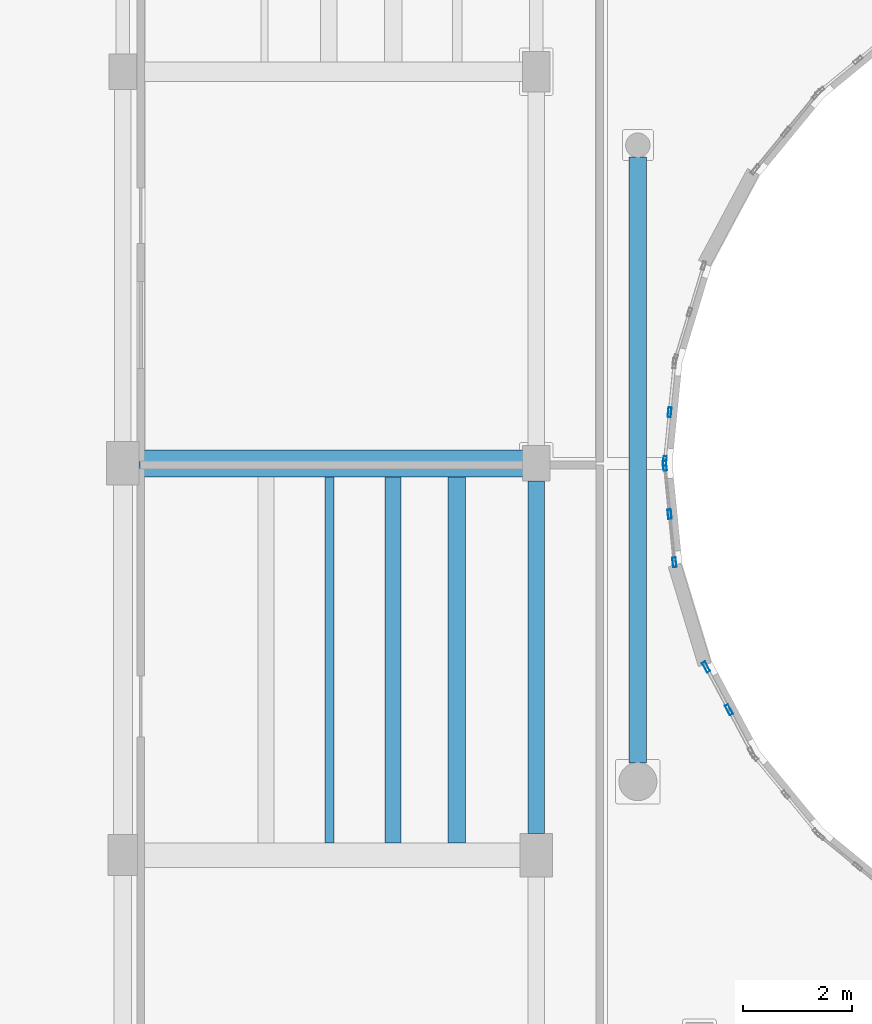
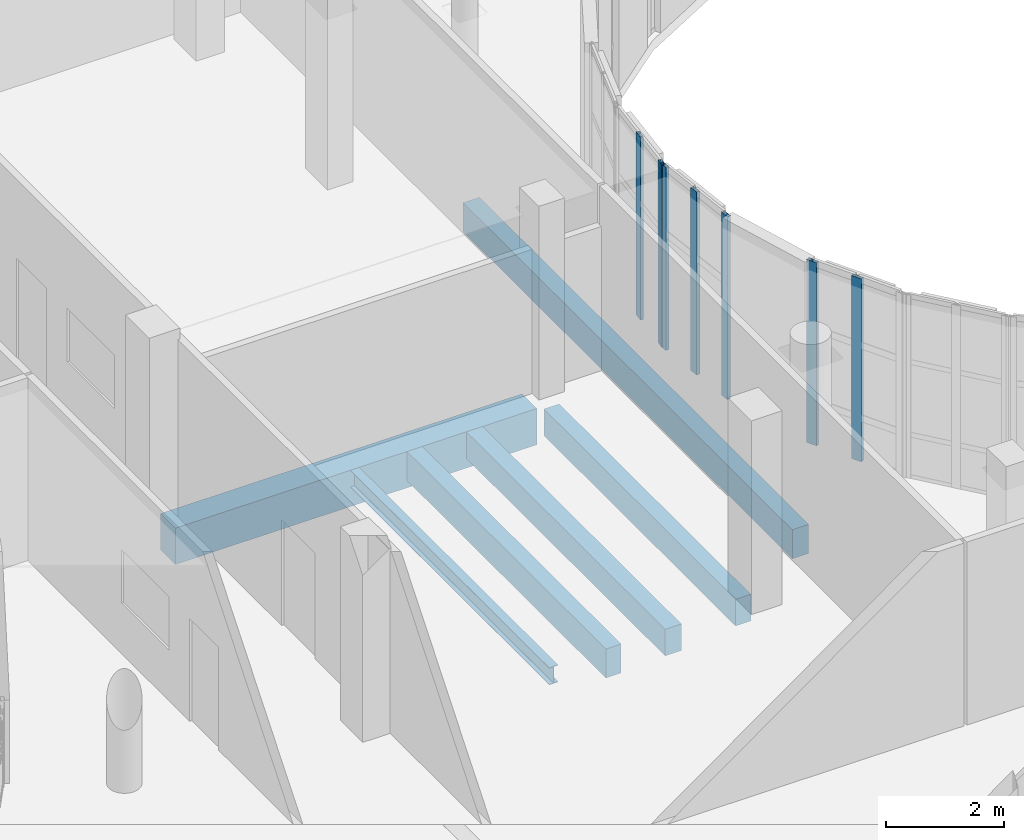
# One storey, part 32 of 92: 7 members, 6 beams, 3 elements without a shape of their own.
"""IFC4 building model written with IfcOpenShell, lengths in metres."""

from ifc_helpers import new_model, si_unit, direction, frame, origin, origin_2d, place, context, subcontext, project, spatial, rectangle, hollow_rectangle, i_section, extrude, material, layer, layer_set, material_profile, profile_set, type_object, element, aggregate, save


model = new_model("IFC4")

# Units and contexts
model_context = context("Model", 3, precision=1e-05, world=origin(), true_north=direction((0.0, 1.0)))
body_context = subcontext(model_context, "Body", "Model", "MODEL_VIEW")
ifc_project = project(units=[si_unit("LENGTHUNIT", "METRE"), si_unit("AREAUNIT", "SQUARE_METRE"), si_unit("VOLUMEUNIT", "CUBIC_METRE"), si_unit("PLANEANGLEUNIT", "RADIAN"), si_unit("MASSUNIT", "GRAM", prefix="KILO")], contexts=[model_context])

# Site, building, storey
site_placement = place(None, origin())
site = spatial("IfcSite", under=ifc_project, at=site_placement, CompositionType="ELEMENT")
building_placement = place(site_placement, origin())
building = spatial("IfcBuilding", under=site, at=building_placement, Name="Kelanivale Promenade Academy", CompositionType="ELEMENT")
storey_placement = place(building_placement, frame((0.0, 0.0, 8.199951171875)))
storey = spatial("IfcBuildingStorey", under=building, at=storey_placement, Name="L02", CompositionType="ELEMENT", Elevation=8.199951171875)

# Beam
ifc_material_1 = material(Name="Concrete C35/45", Category="concrete")
ifc_material_profile_1 = material_profile(ifc_material_1, rectangle(XDim=0.5, YDim=0.75, at=origin_2d()), Name="RC-BM 500x750")
ifc_profile_set_1 = profile_set([ifc_material_profile_1], Name="Concrete C35/45")
beam_type_1 = type_object("IfcBeamType", Name="BM-06 RC-BM 500x750", PredefinedType="BEAM", material=ifc_profile_set_1)
beam_1_placement = place(storey_placement, frame((79.4951171875, 56.800048828125, -0.594970703125), z_axis=(1.0, 0.0, 0.0), x_axis=(0.0, 1.0, 0.0)))
element("IfcBeam", 1, at=beam_1_placement, inside=storey, type_object=beam_type_1, Name="L02 girder BM-06", PredefinedType="BEAM", context=body_context, shape_type="SweptSolid", body=[
    extrude(rectangle(XDim=0.5, YDim=0.75, at=origin_2d()), origin(), (0.0, 0.0, 1.0), 7.059814453125),
])

# Curtain wall, members
ifc_material_2 = material(Name="Bronze anodised aluminium and solar-control low-E glass", Category="aluminium")
ifc_layer_1 = layer(ifc_material_2, 0.159912109375)
ifc_layer_set_1 = layer_set([ifc_layer_1], Name="Bronze anodised aluminium and solar-control low-E glass")
curtain_wall_type_1 = type_object("IfcCurtainWallType", Name="CW-18 Curtain Wall 1200mm Module", PredefinedType="USERDEFINED", material=ifc_layer_set_1)
curtain_wall_1_placement = place(storey_placement, origin())
curtain_wall_1 = element("IfcCurtainWall", 2, at=curtain_wall_1_placement, inside=storey, type_object=curtain_wall_type_1, Name="L02 courtyard curtain wall CW-18", ObjectType="COURTYARD SCREEN GLAZING", PredefinedType="USERDEFINED")
ifc_material_3 = material(Name="Bronze anodised aluminium EN AW-6063 T6", Category="aluminium")
ifc_material_profile_2 = material_profile(ifc_material_3, hollow_rectangle(XDim=0.06005859375, YDim=0.179931640625, WallThickness=0.00390625, at=origin_2d()), Name="ALU 60x180x4.0")
ifc_profile_set_2 = profile_set([ifc_material_profile_2], Name="Bronze anodised aluminium EN AW-6063 T6")
member_type_1 = type_object("IfcMemberType", Name="CWM-02 ALU 60x180x4.0", PredefinedType="MULLION", material=ifc_profile_set_2)
member_1_placement = place(storey_placement, frame((89.25244140625, 57.740478515625, 0.0), z_axis=(0.0, 0.0, 1.0), x_axis=(0.995158737767, -0.098280652454, 0.0)))
member_1 = element("IfcMember", 3, at=member_1_placement, type_object=member_type_1, Name="CW-18 mullion 2", PredefinedType="MULLION", context=body_context, shape_type="SweptSolid", body=[
    extrude(hollow_rectangle(XDim=0.06005859375, YDim=0.179931640625, WallThickness=0.00390625, at=origin_2d()), origin(), (0.0, 0.0, 1.0), 3.780029296875),
])
member_2_placement = place(storey_placement, frame((89.1640625, 56.84375, 0.0), z_axis=(0.0, 0.0, 1.0), x_axis=(0.995158737767, -0.098280652454, 0.0)))
member_2 = element("IfcMember", 4, at=member_2_placement, type_object=member_type_1, Name="CW-18 mullion 3", PredefinedType="MULLION", context=body_context, shape_type="SweptSolid", body=[
    extrude(hollow_rectangle(XDim=0.06005859375, YDim=0.179931640625, WallThickness=0.00390625, at=origin_2d()), origin(), (0.0, 0.0, 1.0), 3.780029296875),
])
aggregate(curtain_wall_1, [member_1, member_2])

ifc_layer_2 = layer(ifc_material_2, 0.169921875)
ifc_layer_set_2 = layer_set([ifc_layer_2], Name="Bronze anodised aluminium and solar-control low-E glass")
curtain_wall_type_2 = type_object("IfcCurtainWallType", Name="CW-19 Curtain Wall 1350mm Module", PredefinedType="USERDEFINED", material=ifc_layer_set_2)
curtain_wall_2_placement = place(storey_placement, origin())
curtain_wall_2 = element("IfcCurtainWall", 5, at=curtain_wall_2_placement, inside=storey, type_object=curtain_wall_type_2, Name="L02 courtyard curtain wall CW-19", ObjectType="COURTYARD SCREEN GLAZING", PredefinedType="USERDEFINED")
ifc_material_profile_3 = material_profile(ifc_material_3, hollow_rectangle(XDim=0.06494140625, YDim=0.175048828125, WallThickness=0.00390625, at=origin_2d()), Name="ALU 65x175x4.0")
ifc_profile_set_3 = profile_set([ifc_material_profile_3], Name="Bronze anodised aluminium EN AW-6063 T6")
member_type_2 = type_object("IfcMemberType", Name="CWM-03 ALU 65x175x4.0", PredefinedType="MULLION", material=ifc_profile_set_3)
member_3_placement = place(storey_placement, frame((89.164306640625, 56.753662109375, 0.0), z_axis=(0.0, 0.0, 1.0), x_axis=(0.99513321337, 0.098538762159, 0.0)))
member_3 = element("IfcMember", 6, at=member_3_placement, type_object=member_type_2, Name="CW-19 mullion 1", PredefinedType="MULLION", context=body_context, shape_type="SweptSolid", body=[
    extrude(hollow_rectangle(XDim=0.06494140625, YDim=0.175048828125, WallThickness=0.00390625, at=origin_2d()), origin(), (0.0, 0.0, 1.0), 3.780029296875),
])
member_4_placement = place(storey_placement, frame((89.251953125, 55.866943359375, 0.0), z_axis=(0.0, 0.0, 1.0), x_axis=(0.99513321337, 0.098538762159, 0.0)))
member_4 = element("IfcMember", 7, at=member_4_placement, type_object=member_type_2, Name="CW-19 mullion 2", PredefinedType="MULLION", context=body_context, shape_type="SweptSolid", body=[
    extrude(hollow_rectangle(XDim=0.06494140625, YDim=0.175048828125, WallThickness=0.00390625, at=origin_2d()), origin(), (0.0, 0.0, 1.0), 3.780029296875),
])
member_5_placement = place(storey_placement, frame((89.33984375, 54.980224609375, 0.0), z_axis=(0.0, 0.0, 1.0), x_axis=(0.99513321337, 0.098538762159, 0.0)))
member_5 = element("IfcMember", 8, at=member_5_placement, type_object=member_type_2, Name="CW-19 mullion 3", PredefinedType="MULLION", context=body_context, shape_type="SweptSolid", body=[
    extrude(hollow_rectangle(XDim=0.06494140625, YDim=0.175048828125, WallThickness=0.00390625, at=origin_2d()), origin(), (0.0, 0.0, 1.0), 3.780029296875),
])
aggregate(curtain_wall_2, [member_3, member_4, member_5])

ifc_layer_3 = layer(ifc_material_2, 0.179931640625)
ifc_layer_set_3 = layer_set([ifc_layer_3], Name="Bronze anodised aluminium and solar-control low-E glass")
curtain_wall_type_3 = type_object("IfcCurtainWallType", Name="CW-20 Curtain Wall 1500mm Module", PredefinedType="USERDEFINED", material=ifc_layer_set_3)
curtain_wall_3_placement = place(storey_placement, origin())
curtain_wall_3 = element("IfcCurtainWall", 9, at=curtain_wall_3_placement, inside=storey, type_object=curtain_wall_type_3, Name="L02 courtyard curtain wall CW-20", ObjectType="COURTYARD SCREEN GLAZING", PredefinedType="USERDEFINED")
ifc_material_profile_4 = material_profile(ifc_material_3, hollow_rectangle(XDim=0.06494140625, YDim=0.199951171875, WallThickness=0.00439453125, at=origin_2d()), Name="ALU 65x200x4.5")
ifc_profile_set_4 = profile_set([ifc_material_profile_4], Name="Bronze anodised aluminium EN AW-6063 T6")
member_type_3 = type_object("IfcMemberType", Name="CWM-04 ALU 65x200x4.5", PredefinedType="MULLION", material=ifc_profile_set_4)
member_6_placement = place(storey_placement, frame((89.92236328125, 53.057373046875, 0.0), z_axis=(0.0, 0.0, 1.0), x_axis=(0.881978204448, 0.471290193914, 0.0)))
member_6 = element("IfcMember", 10, at=member_6_placement, type_object=member_type_3, Name="CW-20 mullion 1", PredefinedType="MULLION", context=body_context, shape_type="SweptSolid", body=[
    extrude(hollow_rectangle(XDim=0.06494140625, YDim=0.199951171875, WallThickness=0.00439453125, at=origin_2d()), origin(), (0.0, 0.0, 1.0), 3.780029296875),
])
member_7_placement = place(storey_placement, frame((90.342529296875, 52.27099609375, 0.0), z_axis=(0.0, 0.0, 1.0), x_axis=(0.881978204448, 0.471290193914, 0.0)))
member_7 = element("IfcMember", 11, at=member_7_placement, type_object=member_type_3, Name="CW-20 mullion 2", PredefinedType="MULLION", context=body_context, shape_type="SweptSolid", body=[
    extrude(hollow_rectangle(XDim=0.06494140625, YDim=0.199951171875, WallThickness=0.00439453125, at=origin_2d()), origin(), (0.0, 0.0, 1.0), 3.780029296875),
])
aggregate(curtain_wall_3, [member_6, member_7])

# Beams
ifc_material_profile_5 = material_profile(ifc_material_1, rectangle(XDim=0.300048828125, YDim=0.550048828125, at=origin_2d()), Name="RC-BM 300x550")
ifc_profile_set_5 = profile_set([ifc_material_profile_5], Name="Concrete C35/45")
beam_type_2 = type_object("IfcBeamType", Name="JS-02 RC-BM 300x550", PredefinedType="JOIST", material=ifc_profile_set_5)
beam_2_placement = place(storey_placement, frame((86.800048828125, 49.9951171875, -0.494873046875), z_axis=(0.0, 1.0, 0.0), x_axis=(-1.0, 0.0, 0.0)))
element("IfcBeam", 12, at=beam_2_placement, inside=storey, type_object=beam_type_2, Name="L02 beam JS-02", PredefinedType="JOIST", context=body_context, shape_type="SweptSolid", body=[
    extrude(rectangle(XDim=0.300048828125, YDim=0.550048828125, at=origin_2d()), origin(), (0.0, 0.0, 1.0), 6.48486328125),
])
ifc_material_profile_6 = material_profile(ifc_material_1, rectangle(XDim=0.300048828125, YDim=0.60009765625, at=origin_2d()), Name="RC-BM 300x600")
ifc_profile_set_6 = profile_set([ifc_material_profile_6], Name="Concrete C35/45")
beam_type_3 = type_object("IfcBeamType", Name="JS-03 RC-BM 300x600", PredefinedType="JOIST", material=ifc_profile_set_6)
beam_3_placement = place(storey_placement, frame((84.16796875, 49.824951171875, -0.52001953125), z_axis=(0.0, 1.0, 0.0), x_axis=(-1.0, 0.0, 0.0)))
element("IfcBeam", 13, at=beam_3_placement, inside=storey, type_object=beam_type_3, Name="L02 secondary sub-beam JS-03", PredefinedType="JOIST", context=body_context, shape_type="SweptSolid", body=[
    extrude(rectangle(XDim=0.300048828125, YDim=0.60009765625, at=origin_2d()), origin(), (0.0, 0.0, 1.0), 6.72509765625),
])
ifc_material_profile_7 = material_profile(ifc_material_1, rectangle(XDim=0.320068359375, YDim=0.550048828125, at=origin_2d()), Name="RC-BM 320x550")
ifc_profile_set_7 = profile_set([ifc_material_profile_7], Name="Concrete C35/45")
beam_type_4 = type_object("IfcBeamType", Name="JS-04 RC-BM 320x550", PredefinedType="JOIST", material=ifc_profile_set_7)
beam_4_placement = place(storey_placement, frame((85.3369140625, 49.824951171875, -0.494873046875), z_axis=(0.0, 1.0, 0.0), x_axis=(-1.0, 0.0, 0.0)))
element("IfcBeam", 14, at=beam_4_placement, inside=storey, type_object=beam_type_4, Name="L02 secondary sub-beam JS-04", PredefinedType="JOIST", context=body_context, shape_type="SweptSolid", body=[
    extrude(rectangle(XDim=0.320068359375, YDim=0.550048828125, at=origin_2d()), origin(), (0.0, 0.0, 1.0), 6.72509765625),
])
ifc_material_profile_8 = material_profile(ifc_material_1, rectangle(XDim=0.320068359375, YDim=0.60009765625, at=origin_2d()), Name="RC-BM 320x600")
ifc_profile_set_8 = profile_set([ifc_material_profile_8], Name="Concrete C35/45")
beam_type_5 = type_object("IfcBeamType", Name="JS-05 RC-BM 320x600", PredefinedType="JOIST", material=ifc_profile_set_8)
beam_5_placement = place(storey_placement, frame((88.66796875, 51.294921875, -0.52001953125), z_axis=(0.0, 1.0, 0.0), x_axis=(-1.0, 0.0, 0.0)))
element("IfcBeam", 15, at=beam_5_placement, inside=storey, type_object=beam_type_5, Name="L02 beam JS-05", PredefinedType="JOIST", context=body_context, shape_type="SweptSolid", body=[
    extrude(rectangle(XDim=0.320068359375, YDim=0.60009765625, at=origin_2d()), origin(), (0.0, 0.0, 1.0), 11.135009765625),
])
ifc_material_4 = material(Name="Steel S355", Category="steel")
ifc_material_profile_9 = material_profile(ifc_material_4, i_section(OverallWidth=0.17138671875, OverallDepth=0.35498046875, WebThickness=0.00732421875, FlangeThickness=0.011474609375, FilletRadius=0.01025390625, at=origin_2d()), Name="UB 356x171x51")
ifc_profile_set_9 = profile_set([ifc_material_profile_9], Name="Steel S355")
beam_type_6 = type_object("IfcBeamType", Name="SB-04 UB 356x171x51", PredefinedType="BEAM", material=ifc_profile_set_9)
beam_6_placement = place(storey_placement, frame((83.0, 49.824951171875, -0.39697265625), z_axis=(0.0, 1.0, 0.0), x_axis=(-1.0, 0.0, 0.0)))
element("IfcBeam", 16, at=beam_6_placement, inside=storey, type_object=beam_type_6, Name="L02 secondary sub-beam SB-04", PredefinedType="BEAM", context=body_context, shape_type="SweptSolid", body=[
    extrude(i_section(OverallWidth=0.17138671875, OverallDepth=0.35498046875, WebThickness=0.00732421875, FlangeThickness=0.011474609375, FilletRadius=0.01025390625, at=origin_2d()), origin(), (0.0, 0.0, 1.0), 6.72509765625),
])

save(model, "model.ifc")
